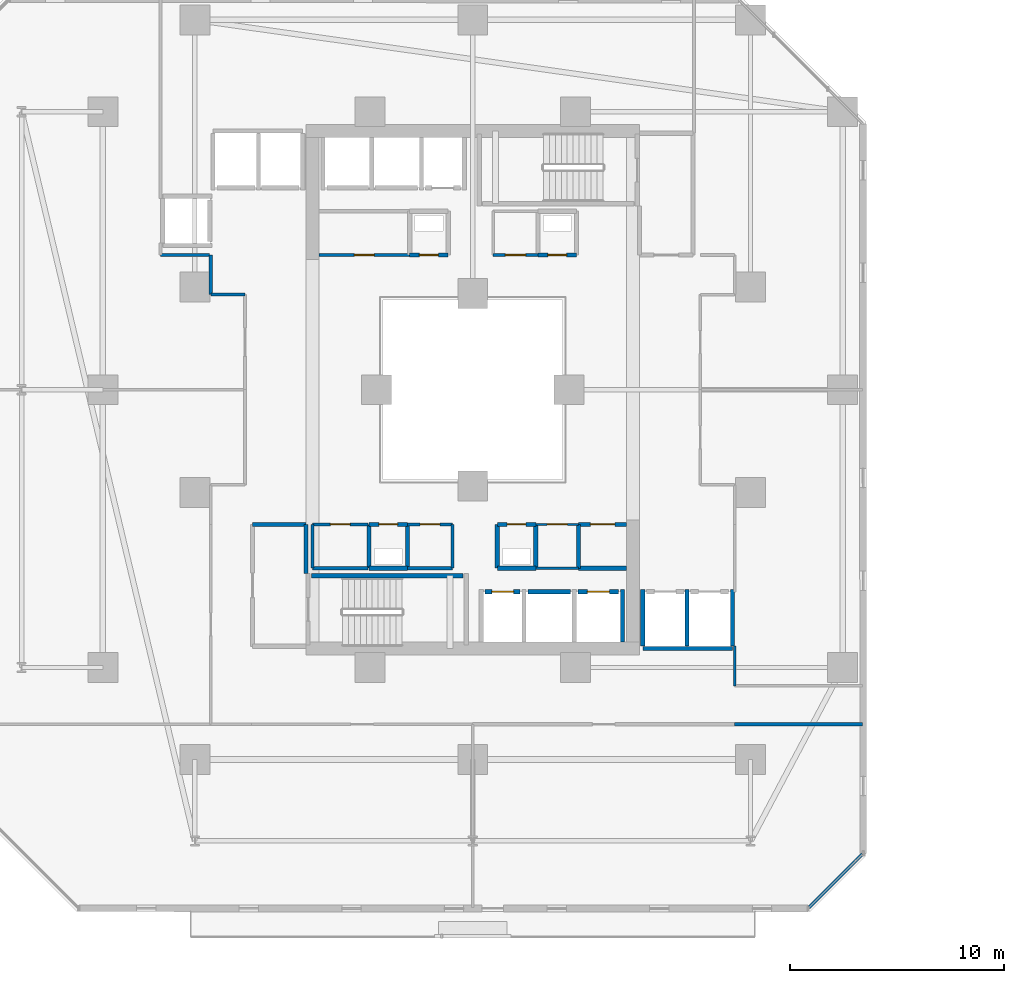
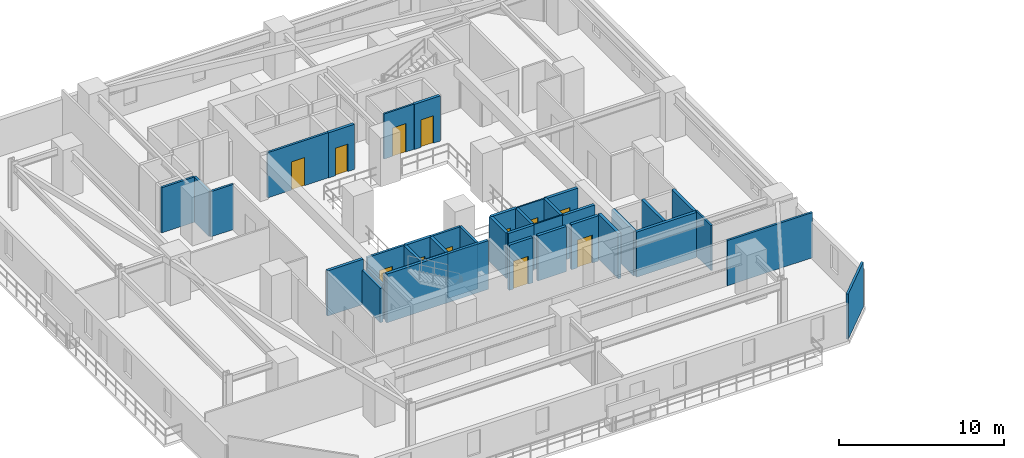
# One storey, part 19 of 33: 40 walls, 12 doors, 12 openings.
"""IFC4 building model written with IfcOpenShell, lengths in metres."""

import ifcopenshell
import ifcopenshell.guid

model = None  # the IFC model being written
_history = None  # IfcOwnerHistory: only IFC2X3 demands one
_inside = {}  # id of a spatial element -> (the spatial element, [elements in it])
_under = {}  # id of a project, library or spatial element -> (it, [spatial elements below it])
_declared = {}  # id of a project -> (the project, [libraries it declares])
_typed = {}  # id of a type object -> (the type object, [elements of that type])
_made_of = {}  # id of a material, layer set ... -> (it, [elements and type objects made of it])


def new_model(schema):
    """Start an empty IFC model of exactly this schema.

    Asked for "IFC4X3", IfcOpenShell would pick the latest addendum, in which some entities
    have other attributes; the version numbers below select the first issue.
    IFC2X3 requires an IfcOwnerHistory on every rooted entity: one is made here for all.
    """
    global model, _history
    if schema == "IFC4X3":
        model = ifcopenshell.file(schema_version=(4, 3, 0, 0))
    else:
        model = ifcopenshell.file(schema=schema)
    _inside.clear()
    _under.clear()
    _declared.clear()
    _typed.clear()
    _made_of.clear()
    _history = None
    if model.schema == "IFC2X3":
        org = make("IfcOrganization", Name="unknown")
        user = make(
            "IfcPersonAndOrganization",
            ThePerson=make("IfcPerson", FamilyName="unknown"),
            TheOrganization=org,
        )
        app = make(
            "IfcApplication",
            ApplicationDeveloper=org,
            Version="unknown",
            ApplicationFullName="unknown",
            ApplicationIdentifier="unknown",
        )
        _history = make(
            "IfcOwnerHistory",
            OwningUser=user,
            OwningApplication=app,
            ChangeAction="ADDED",
            CreationDate=0,
        )
    return model


def make(cls, **values):
    """One entity of the class cls with the attributes given. An attribute that is None is left unset."""
    return model.create_entity(
        cls, **{name: value for name, value in values.items() if value is not None}
    )


def rooted(cls, **values):
    """An entity with a GlobalId (a new one), such as an element, a storey or a relation."""
    return make(cls, GlobalId=ifcopenshell.guid.new(), OwnerHistory=_history, **values)


def si_unit(unit_type, name, prefix=None):
    """IfcSIUnit, for example si_unit("LENGTHUNIT", "METRE", prefix="MILLI")."""
    return make("IfcSIUnit", UnitType=unit_type, Prefix=prefix, Name=name)


def assignment(units):
    """IfcUnitAssignment: the units of a project."""
    return None if units is None else make("IfcUnitAssignment", Units=units)


def point(xyz):
    """IfcCartesianPoint."""
    return None if xyz is None else make("IfcCartesianPoint", Coordinates=xyz)


def direction(xyz):
    """IfcDirection."""
    return None if xyz is None else make("IfcDirection", DirectionRatios=xyz)


def frame(location, z_axis=None, x_axis=None):
    """IfcAxis2Placement3D, a coordinate frame: its origin and axes. An axis left out is left unset."""
    return make(
        "IfcAxis2Placement3D",
        Location=point(location),
        Axis=direction(z_axis),
        RefDirection=direction(x_axis),
    )


def frame_2d(location, x_axis=None):
    """IfcAxis2Placement2D, a coordinate frame in the plane: its origin and x axis."""
    return make(
        "IfcAxis2Placement2D", Location=point(location), RefDirection=direction(x_axis)
    )


def origin():
    """The frame at (0, 0, 0) with its axes left unset."""
    return frame((0.0, 0.0, 0.0))


def place(relative_to, where):
    """IfcLocalPlacement: puts the frame where relative to a parent placement (None: the world)."""
    return make(
        "IfcLocalPlacement", PlacementRelTo=relative_to, RelativePlacement=where
    )


def context(
    kind, dimensions, precision=None, world=None, true_north=None, identifier=None
):
    """IfcGeometricRepresentationContext, for example the 3D "Model" context."""
    return make(
        "IfcGeometricRepresentationContext",
        ContextIdentifier=identifier,
        ContextType=kind,
        CoordinateSpaceDimension=dimensions,
        Precision=precision,
        WorldCoordinateSystem=world,
        TrueNorth=true_north,
    )


def subcontext(parent, identifier, kind, view, scale=None):
    """IfcGeometricRepresentationSubContext, for example "Body" below "Model"."""
    return make(
        "IfcGeometricRepresentationSubContext",
        ContextIdentifier=identifier,
        ContextType=kind,
        ParentContext=parent,
        TargetScale=scale,
        TargetView=view,
    )


def project(units=None, contexts=None):
    """IfcProject with its units and contexts."""
    return rooted(
        "IfcProject",
        Name="project",
        RepresentationContexts=contexts,
        UnitsInContext=assignment(units),
    )


def spatial(cls, under=None, at=None, **own):
    """A site, building, storey or space (cls), placed at a placement, below another one or the project."""
    s = rooted(cls, ObjectPlacement=at, **own)
    if under is not None:
        _under.setdefault(under.id(), (under, []))[1].append(s)
    return s


def profile(cls, at=None, kind="AREA", **sizes):
    """A parametric profile (cls). Its sizes go by their IFC names, for example OverallWidth=200.0."""
    return make(cls, ProfileType=kind, Position=at, **sizes)


def rectangle(**sizes):
    """IfcRectangleProfileDef."""
    return profile("IfcRectangleProfileDef", **sizes)


def extrude(swept, where, along, depth):
    """IfcExtrudedAreaSolid: the profile swept, set in the frame where, extruded along a direction by depth."""
    return make(
        "IfcExtrudedAreaSolid",
        SweptArea=swept,
        Position=where,
        ExtrudedDirection=direction(along),
        Depth=depth,
    )


def shape(context_of_items, identifier, shape_type, items):
    """IfcShapeRepresentation: the items that make up one representation, for example the "Body"."""
    return make(
        "IfcShapeRepresentation",
        ContextOfItems=context_of_items,
        RepresentationIdentifier=identifier,
        RepresentationType=shape_type,
        Items=items,
    )


def material(Name=None, Category=None):
    """IfcMaterial."""
    return make("IfcMaterial", Name=Name, Category=Category)


def layer(
    of_material, thickness, ventilated=None, Name=None, Category=None, Priority=None
):
    """IfcMaterialLayer: one layer of a wall or slab, of a material (None: an air gap)."""
    return make(
        "IfcMaterialLayer",
        Material=of_material,
        LayerThickness=thickness,
        IsVentilated=ventilated,
        Name=Name,
        Category=Category,
        Priority=Priority,
    )


def layer_set(layers, Name=None):
    """IfcMaterialLayerSet."""
    return make("IfcMaterialLayerSet", MaterialLayers=layers, LayerSetName=Name)


def made_of(thing, what):
    """Note that an element or type object is made of a material, layer set ...; save() writes the relation."""
    if what is not None:
        _made_of.setdefault(what.id(), (what, []))[1].append(thing)
    return thing


def type_object(cls, material=None, **own):
    """A type object (cls), such as IfcWallType, which elements share."""
    return made_of(rooted(cls, **own), material)


def element(
    cls,
    number,
    at=None,
    inside=None,
    cuts=None,
    type_object=None,
    material=None,
    context=None,
    identifier="Body",
    shape_type=None,
    held_by="IfcProductDefinitionShape",
    body=None,
    shapes=None,
    **own,
):
    """One element of the class cls, such as IfcWall. Its Tag is "e" and its number.

    at: its placement. inside: the storey or other place that contains it. cuts: it is an
    opening in that element (IfcRelVoidsElement). A single representation is given by context,
    identifier, shape_type and body (its items); several are given by shapes. held_by: the class
    of the entity that holds the representations. save() writes the other relations.
    """
    e = rooted(cls, Tag="e%d" % number, ObjectPlacement=at, **own)
    if body is not None:
        shapes = [shape(context, identifier, shape_type, body)]
    if shapes is not None:
        e.Representation = make(held_by, Representations=shapes)
    if inside is not None:
        _inside.setdefault(inside.id(), (inside, []))[1].append(e)
    if cuts is not None:
        rooted(
            "IfcRelVoidsElement", RelatingBuildingElement=cuts, RelatedOpeningElement=e
        )
    if type_object is not None:
        _typed.setdefault(type_object.id(), (type_object, []))[1].append(e)
    return made_of(e, material)


def fill(opening, filler):
    """IfcRelFillsElement: the door or window that sits in an opening."""
    return rooted(
        "IfcRelFillsElement",
        RelatingOpeningElement=opening,
        RelatedBuildingElement=filler,
    )


def aggregate(whole, parts):
    """IfcRelAggregates: a whole, such as a stair, and the parts it consists of."""
    return rooted("IfcRelAggregates", RelatingObject=whole, RelatedObjects=parts)


def save(model, path):
    """Write the relations noted so far, then the file.

    IfcRelAggregates (storeys below a building ...), IfcRelContainedInSpatialStructure (elements
    in a storey), IfcRelDefinesByType, IfcRelAssociatesMaterial and IfcRelDeclares: one each for
    every whole, place, type object, material and project.
    """
    for whole, parts in _under.values():
        aggregate(whole, parts)
    for where, things in _inside.values():
        rooted(
            "IfcRelContainedInSpatialStructure",
            RelatedElements=things,
            RelatingStructure=where,
        )
    for kind, things in _typed.values():
        rooted("IfcRelDefinesByType", RelatedObjects=things, RelatingType=kind)
    for what, things in _made_of.values():
        rooted("IfcRelAssociatesMaterial", RelatedObjects=things, RelatingMaterial=what)
    for by, libraries in _declared.values():
        rooted("IfcRelDeclares", RelatingContext=by, RelatedDefinitions=libraries)
    model.write(path)


model = new_model("IFC4")

# Units and contexts
model_context = context("Model", 3, precision=1e-05, world=origin(), true_north=direction((0.0, 1.0)))
body_context = subcontext(model_context, "Body", "Model", "MODEL_VIEW")
ifc_project = project(units=[si_unit("LENGTHUNIT", "METRE"), si_unit("AREAUNIT", "SQUARE_METRE"), si_unit("VOLUMEUNIT", "CUBIC_METRE"), si_unit("PLANEANGLEUNIT", "RADIAN"), si_unit("MASSUNIT", "GRAM", prefix="KILO")], contexts=[model_context])

# Site, building, storey
site_placement = place(None, origin())
site = spatial("IfcSite", under=ifc_project, at=site_placement, CompositionType="ELEMENT")
building_placement = place(site_placement, origin())
building = spatial("IfcBuilding", under=site, at=building_placement, Name="Thornwick Lancets Civic Towers", CompositionType="ELEMENT")
storey_placement = place(building_placement, frame((0.0, 0.0, 31.5)))
storey = spatial("IfcBuildingStorey", under=building, at=storey_placement, Name="L07", CompositionType="ELEMENT", Elevation=31.5)

# Wall, opening, door
ifc_material_1 = material(Name="Concrete blockwork C40/50", Category="masonry")
ifc_layer_1 = layer(ifc_material_1, 0.199951171875, Name="Concrete blockwork C40/50")
ifc_layer_set_1 = layer_set([ifc_layer_1], Name="Concrete blockwork C40/50")
wall_type_1 = type_object("IfcWallType", Name="WALL_COMP_200", PredefinedType="STANDARD", material=ifc_layer_set_1)
wall_1_placement = place(storey_placement, frame((26.080078125, 17.550048828125, 0.0), z_axis=(0.0, 0.0, 1.0), x_axis=(1.0, 0.0, 0.0)))
wall_1 = element("IfcWall", 1, at=wall_1_placement, inside=storey, type_object=wall_type_1, Name="L07 Hoistway Front Wall FL-A1", PredefinedType="STANDARD", context=body_context, shape_type="SweptSolid", body=[
    extrude(rectangle(XDim=1.639892578125, YDim=0.199951171875, at=frame_2d((0.81982421875, 0.0))), origin(), (0.0, 0.0, 1.0), 3.340087890625),
])
opening_1_placement = place(wall_1_placement, frame((0.31005859375, 0.0, 0.0)))
opening_1 = element("IfcOpeningElement", 2, at=opening_1_placement, cuts=wall_1, Name="Opening LD-FL-A1", PredefinedType="OPENING", context=body_context, shape_type="SweptSolid", body=[
    extrude(rectangle(XDim=1.02001953125, YDim=2.06005859375, at=frame_2d((0.510009765625, 1.030029296875))), frame((0.0, 0.10986328125, 0.0), z_axis=(0.0, -1.0, 0.0), x_axis=(1.0, 0.0, 0.0)), (0.0, 0.0, 1.0), 0.219970703125),
])
ifc_material_2 = material(Name="Brushed bronze stainless steel", Category="steel")
door_type_1 = type_object("IfcDoorType", Name="DOOR_LIFT_SLIDE", OperationType="SLIDING_TO_LEFT", PredefinedType="DOOR", material=ifc_material_2)
door_1_placement = place(opening_1_placement, origin())
door_1 = element("IfcDoor", 3, at=door_1_placement, inside=storey, type_object=door_type_1, Name="L07 Sliding Lift Landing Door LD-FL-A1", OperationType="SLIDING_TO_LEFT", OverallHeight=2.06005859375, OverallWidth=1.02001953125, PredefinedType="DOOR", context=body_context, shape_type="SweptSolid", body=[
    extrude(rectangle(XDim=1.02001953125, YDim=2.06005859375, at=frame_2d((0.510009765625, 1.030029296875))), frame((0.0, 0.02490234375, 0.0), z_axis=(0.0, -1.0, 0.0), x_axis=(1.0, 0.0, 0.0)), (0.0, 0.0, 1.0), 0.050048828125),
])
fill(opening_1, door_1)

# Wall
wall_2_placement = place(storey_placement, frame((28.080078125, 17.550048828125, 0.0), z_axis=(0.0, 0.0, 1.0), x_axis=(1.0, 0.0, 0.0)))
element("IfcWall", 4, at=wall_2_placement, inside=storey, type_object=wall_type_1, Name="L07 Hoistway Front Wall PL-AH1", PredefinedType="STANDARD", context=body_context, shape_type="SweptSolid", body=[
    extrude(rectangle(XDim=1.989990234375, YDim=0.199951171875, at=frame_2d((0.9951171875, 0.0))), origin(), (0.0, 0.0, 1.0), 3.340087890625),
])

# Wall, opening, door
wall_3_placement = place(storey_placement, frame((30.429931640625, 17.550048828125, 0.0), z_axis=(0.0, 0.0, 1.0), x_axis=(1.0, 0.0, 0.0)))
wall_3 = element("IfcWall", 5, at=wall_3_placement, inside=storey, type_object=wall_type_1, Name="L07 Hoistway Front Wall PL-AL1", PredefinedType="STANDARD", context=body_context, shape_type="SweptSolid", body=[
    extrude(rectangle(XDim=1.89013671875, YDim=0.199951171875, at=frame_2d((0.945068359375, 0.0))), origin(), (0.0, 0.0, 1.0), 3.340087890625),
])
opening_2_placement = place(wall_3_placement, frame((0.43505859375, 0.0, 0.0)))
opening_2 = element("IfcOpeningElement", 6, at=opening_2_placement, cuts=wall_3, Name="Opening LD-PL-AL1", PredefinedType="OPENING", context=body_context, shape_type="SweptSolid", body=[
    extrude(rectangle(XDim=1.02001953125, YDim=2.06005859375, at=frame_2d((0.510009765625, 1.030029296875))), frame((0.0, 0.10986328125, 0.0), z_axis=(0.0, -1.0, 0.0), x_axis=(1.0, 0.0, 0.0)), (0.0, 0.0, 1.0), 0.219970703125),
])
door_2_placement = place(opening_2_placement, origin())
door_2 = element("IfcDoor", 7, at=door_2_placement, inside=storey, type_object=door_type_1, Name="L07 Sliding Lift Landing Door LD-PL-AL1", OperationType="SLIDING_TO_LEFT", OverallHeight=2.06005859375, OverallWidth=1.02001953125, PredefinedType="DOOR", context=body_context, shape_type="SweptSolid", body=[
    extrude(rectangle(XDim=1.02001953125, YDim=2.06005859375, at=frame_2d((0.510009765625, 1.030029296875))), frame((0.0, 0.02490234375, 0.0), z_axis=(0.0, -1.0, 0.0), x_axis=(1.0, 0.0, 0.0)), (0.0, 0.0, 1.0), 0.050048828125),
])
fill(opening_2, door_2)

# Walls
wall_4_placement = place(storey_placement, frame((32.5, 15.2119140625, 0.0), z_axis=(0.0, 0.0, 1.0), x_axis=(0.0, 1.0, 0.0)))
element("IfcWall", 8, at=wall_4_placement, inside=storey, type_object=wall_type_1, Name="L07 Hoistway Shaft Wall PL-AL1 E", PredefinedType="STANDARD", context=body_context, shape_type="SweptSolid", body=[
    extrude(rectangle(XDim=2.43603515625, YDim=0.199951171875, at=frame_2d((1.218017578125, 0.0))), origin(), (0.0, 0.0, 1.0), 3.340087890625),
])
wall_5_placement = place(storey_placement, frame((33.451904296875, 14.89990234375, 0.0), z_axis=(0.0, 0.0, 1.0), x_axis=(1.0, 0.0, 0.0)))
element("IfcWall", 9, at=wall_5_placement, inside=storey, type_object=wall_type_1, Name="L07 Hoistway Shaft Wall PL-AL2 S", PredefinedType="STANDARD", context=body_context, shape_type="SweptSolid", body=[
    extrude(rectangle(XDim=4.196044921875, YDim=0.199951171875, at=frame_2d((2.09814453125, 0.0))), origin(), (0.0, 0.0, 1.0), 3.340087890625),
])
for number, where, z_axis, x_axis, name in (
    (10, (35.52490234375, 15.011962890625, 0.0), (0.0, 0.0, 1.0), (0.0, 1.0, 0.0), "L07 Hoistway Shaft Wall PL-AL2 E"),
    (11, (33.449951171875, 15.011962890625, 0.0), (0.0, 0.0, 1.0), (0.0, 1.0, 0.0), "L07 Hoistway Shaft Wall PL-AL2 W"),
    (12, (37.64990234375, 15.011962890625, 0.0), (0.0, 0.0, 1.0), (0.0, 1.0, 0.0), "L07 Hoistway Shaft Wall PL-AL3 E"),
):
    element("IfcWall", number, at=place(storey_placement, frame(where, z_axis=z_axis, x_axis=x_axis)), inside=storey, type_object=wall_type_1, Name=name, PredefinedType="STANDARD", context=body_context, shape_type="SweptSolid", body=[
        extrude(rectangle(XDim=2.635986328125, YDim=0.199951171875, at=frame_2d((1.31787109375, 0.0))), origin(), (0.0, 0.0, 1.0), 3.340087890625),
    ])
wall_6_placement = place(storey_placement, frame((17.699951171875, 18.39990234375, 0.0), z_axis=(0.0, 0.0, 1.0), x_axis=(0.0, 1.0, 0.0)))
element("IfcWall", 13, at=wall_6_placement, inside=storey, type_object=wall_type_1, Name="L07 Partition L07-A-FFLOB1 E2", PredefinedType="STANDARD", context=body_context, shape_type="SweptSolid", body=[
    extrude(rectangle(XDim=2.300048828125, YDim=0.199951171875, at=frame_2d((1.14990234375, 0.0))), origin(), (0.0, 0.0, 1.0), 2.544921875),
])
wall_7_placement = place(storey_placement, frame((17.699951171875, 20.699951171875, 0.0), z_axis=(0.0, 0.0, 1.0), x_axis=(-1.0, 0.0, 0.0)))
element("IfcWall", 14, at=wall_7_placement, inside=storey, type_object=wall_type_1, Name="L07 Partition L07-A-FFLOB1 E3", PredefinedType="STANDARD", context=body_context, shape_type="SweptSolid", body=[
    extrude(rectangle(XDim=2.5, YDim=0.199951171875, at=frame_2d((1.25, 0.0))), origin(), (0.0, 0.0, 1.0), 3.340087890625),
])
wall_8_placement = place(storey_placement, frame((26.64990234375, 18.64990234375, 0.0), z_axis=(0.0, 0.0, 1.0), x_axis=(1.0, 0.0, 0.0)))
element("IfcWall", 15, at=wall_8_placement, inside=storey, type_object=wall_type_1, Name="L07 Partition L07-A-DUCT1 E1", PredefinedType="STANDARD", context=body_context, shape_type="SweptSolid", body=[
    extrude(rectangle(XDim=1.800048828125, YDim=0.199951171875, at=frame_2d((0.89990234375, 0.0))), origin(), (0.0, 0.0, 1.0), 3.340087890625),
])
wall_9_placement = place(storey_placement, frame((28.449951171875, 18.64990234375, 0.0), z_axis=(0.0, 0.0, 1.0), x_axis=(0.0, 1.0, 0.0)))
element("IfcWall", 16, at=wall_9_placement, inside=storey, type_object=wall_type_1, Name="L07 Partition L07-A-DUCT1 E2", PredefinedType="STANDARD", context=body_context, shape_type="SweptSolid", body=[
    extrude(rectangle(XDim=2.050048828125, YDim=0.199951171875, at=frame_2d((1.02490234375, 0.0))), origin(), (0.0, 0.0, 1.0), 3.340087890625),
])

# Wall, opening, door
wall_10_placement = place(storey_placement, frame((28.449951171875, 20.699951171875, 0.0), z_axis=(0.0, 0.0, 1.0), x_axis=(-1.0, 0.0, 0.0)))
wall_10 = element("IfcWall", 17, at=wall_10_placement, inside=storey, type_object=wall_type_1, Name="L07 Partition L07-A-DUCT1 E3", PredefinedType="STANDARD", context=body_context, shape_type="SweptSolid", body=[
    extrude(rectangle(XDim=1.800048828125, YDim=0.199951171875, at=frame_2d((0.89990234375, 0.0))), origin(), (0.0, 0.0, 1.0), 3.340087890625),
])
opening_3_placement = place(wall_10_placement, frame((0.4599609375, 0.0, 0.0)))
opening_3 = element("IfcOpeningElement", 18, at=opening_3_placement, cuts=wall_10, Name="Opening D-L07-0363", PredefinedType="OPENING", context=body_context, shape_type="SweptSolid", body=[
    extrude(rectangle(XDim=0.8798828125, YDim=2.0400390625, at=frame_2d((0.43994140625, 1.02001953125))), frame((0.0, 0.10986328125, 0.0), z_axis=(0.0, -1.0, 0.0), x_axis=(1.0, 0.0, 0.0)), (0.0, 0.0, 1.0), 0.219970703125),
])
ifc_material_3 = material(Name="Steel riser access doorset", Category="steel")
door_type_2 = type_object("IfcDoorType", Name="DOOR_RISER_850", OperationType="NOTDEFINED", PredefinedType="DOOR", material=ifc_material_3)
door_3_placement = place(opening_3_placement, origin())
door_3 = element("IfcDoor", 19, at=door_3_placement, inside=storey, type_object=door_type_2, Name="L07 South Service Duct 1 Door", OperationType="SINGLE_SWING_RIGHT", OverallHeight=2.0400390625, OverallWidth=0.8798828125, PredefinedType="DOOR", context=body_context, shape_type="SweptSolid", body=[
    extrude(rectangle(XDim=0.8798828125, YDim=2.0400390625, at=frame_2d((0.43994140625, 1.02001953125))), frame((0.0, 0.02490234375, 0.0), z_axis=(0.0, -1.0, 0.0), x_axis=(1.0, 0.0, 0.0)), (0.0, 0.0, 1.0), 0.050048828125),
])
fill(opening_3, door_3)

# Walls
wall_11_placement = place(storey_placement, frame((26.64990234375, 20.699951171875, 0.0), z_axis=(0.0, 0.0, 1.0), x_axis=(0.0, -1.0, 0.0)))
element("IfcWall", 20, at=wall_11_placement, inside=storey, type_object=wall_type_1, Name="L07 Partition L07-A-DUCT1 E4", PredefinedType="STANDARD", context=body_context, shape_type="SweptSolid", body=[
    extrude(rectangle(XDim=2.050048828125, YDim=0.199951171875, at=frame_2d((1.02490234375, 0.0))), origin(), (0.0, 0.0, 1.0), 3.340087890625),
])
wall_12_placement = place(storey_placement, frame((20.64990234375, 18.64990234375, 0.0), z_axis=(0.0, 0.0, 1.0), x_axis=(1.0, 0.0, 0.0)))
element("IfcWall", 21, at=wall_12_placement, inside=storey, type_object=wall_type_1, Name="L07 Partition L07-A-RISER1 E1", PredefinedType="STANDARD", context=body_context, shape_type="SweptSolid", body=[
    extrude(rectangle(XDim=1.800048828125, YDim=0.199951171875, at=frame_2d((0.89990234375, 0.0))), origin(), (0.0, 0.0, 1.0), 3.340087890625),
])
wall_13_placement = place(storey_placement, frame((22.449951171875, 18.64990234375, 0.0), z_axis=(0.0, 0.0, 1.0), x_axis=(0.0, 1.0, 0.0)))
element("IfcWall", 22, at=wall_13_placement, inside=storey, type_object=wall_type_1, Name="L07 Partition L07-A-RISER1 E2", PredefinedType="STANDARD", context=body_context, shape_type="SweptSolid", body=[
    extrude(rectangle(XDim=2.050048828125, YDim=0.199951171875, at=frame_2d((1.02490234375, 0.0))), origin(), (0.0, 0.0, 1.0), 3.340087890625),
])

# Wall, opening, door
wall_14_placement = place(storey_placement, frame((22.449951171875, 20.699951171875, 0.0), z_axis=(0.0, 0.0, 1.0), x_axis=(-1.0, 0.0, 0.0)))
wall_14 = element("IfcWall", 23, at=wall_14_placement, inside=storey, type_object=wall_type_1, Name="L07 Partition L07-A-RISER1 E3", PredefinedType="STANDARD", context=body_context, shape_type="SweptSolid", body=[
    extrude(rectangle(XDim=1.800048828125, YDim=0.199951171875, at=frame_2d((0.89990234375, 0.0))), origin(), (0.0, 0.0, 1.0), 3.340087890625),
])
opening_4_placement = place(wall_14_placement, frame((0.4599609375, 0.0, 0.0)))
opening_4 = element("IfcOpeningElement", 24, at=opening_4_placement, cuts=wall_14, Name="Opening D-L07-0364", PredefinedType="OPENING", context=body_context, shape_type="SweptSolid", body=[
    extrude(rectangle(XDim=0.8798828125, YDim=2.0400390625, at=frame_2d((0.43994140625, 1.02001953125))), frame((0.0, 0.10986328125, 0.0), z_axis=(0.0, -1.0, 0.0), x_axis=(1.0, 0.0, 0.0)), (0.0, 0.0, 1.0), 0.219970703125),
])
door_4_placement = place(opening_4_placement, origin())
door_4 = element("IfcDoor", 25, at=door_4_placement, inside=storey, type_object=door_type_2, Name="L07 South Electrical Riser 1 Door", OperationType="SINGLE_SWING_LEFT", OverallHeight=2.0400390625, OverallWidth=0.8798828125, PredefinedType="DOOR", context=body_context, shape_type="SweptSolid", body=[
    extrude(rectangle(XDim=0.8798828125, YDim=2.0400390625, at=frame_2d((0.43994140625, 1.02001953125))), frame((0.0, 0.02490234375, 0.0), z_axis=(0.0, -1.0, 0.0), x_axis=(1.0, 0.0, 0.0)), (0.0, 0.0, 1.0), 0.050048828125),
])
fill(opening_4, door_4)

# Wall
wall_15_placement = place(storey_placement, frame((20.64990234375, 20.699951171875, 0.0), z_axis=(0.0, 0.0, 1.0), x_axis=(0.0, -1.0, 0.0)))
element("IfcWall", 26, at=wall_15_placement, inside=storey, type_object=wall_type_1, Name="L07 Partition L07-A-RISER1 E4", PredefinedType="STANDARD", context=body_context, shape_type="SweptSolid", body=[
    extrude(rectangle(XDim=2.050048828125, YDim=0.199951171875, at=frame_2d((1.02490234375, 0.0))), origin(), (0.0, 0.0, 1.0), 3.340087890625),
])

# Wall, opening, door
wall_16_placement = place(storey_placement, frame((22.550048828125, 33.300048828125, 0.0), z_axis=(0.0, 0.0, 1.0), x_axis=(1.0, 0.0, 0.0)))
wall_16 = element("IfcWall", 27, at=wall_16_placement, inside=storey, type_object=wall_type_1, Name="L07 Partition L07-A-DUCT2 E1", PredefinedType="STANDARD", context=body_context, shape_type="SweptSolid", body=[
    extrude(rectangle(XDim=1.800048828125, YDim=0.199951171875, at=frame_2d((0.89990234375, 0.0))), origin(), (0.0, 0.0, 1.0), 3.340087890625),
])
opening_5_placement = place(wall_16_placement, frame((0.4599609375, 0.0, 0.0)))
opening_5 = element("IfcOpeningElement", 28, at=opening_5_placement, cuts=wall_16, Name="Opening D-L07-0365", PredefinedType="OPENING", context=body_context, shape_type="SweptSolid", body=[
    extrude(rectangle(XDim=0.8798828125, YDim=2.0400390625, at=frame_2d((0.43994140625, 1.02001953125))), frame((0.0, 0.10986328125, 0.0), z_axis=(0.0, -1.0, 0.0), x_axis=(1.0, 0.0, 0.0)), (0.0, 0.0, 1.0), 0.219970703125),
])
door_5_placement = place(opening_5_placement, origin())
door_5 = element("IfcDoor", 29, at=door_5_placement, inside=storey, type_object=door_type_2, Name="L07 North Service Duct 2 Door", OperationType="SINGLE_SWING_RIGHT", OverallHeight=2.0400390625, OverallWidth=0.8798828125, PredefinedType="DOOR", context=body_context, shape_type="SweptSolid", body=[
    extrude(rectangle(XDim=0.8798828125, YDim=2.0400390625, at=frame_2d((0.43994140625, 1.02001953125))), frame((0.0, 0.02490234375, 0.0), z_axis=(0.0, -1.0, 0.0), x_axis=(1.0, 0.0, 0.0)), (0.0, 0.0, 1.0), 0.050048828125),
])
fill(opening_5, door_5)

wall_17_placement = place(storey_placement, frame((28.550048828125, 33.300048828125, 0.0), z_axis=(0.0, 0.0, 1.0), x_axis=(1.0, 0.0, 0.0)))
wall_17 = element("IfcWall", 30, at=wall_17_placement, inside=storey, type_object=wall_type_1, Name="L07 Partition L07-A-RISER2 E1", PredefinedType="STANDARD", context=body_context, shape_type="SweptSolid", body=[
    extrude(rectangle(XDim=1.800048828125, YDim=0.199951171875, at=frame_2d((0.89990234375, 0.0))), origin(), (0.0, 0.0, 1.0), 3.340087890625),
])
opening_6_placement = place(wall_17_placement, frame((0.4599609375, 0.0, 0.0)))
opening_6 = element("IfcOpeningElement", 31, at=opening_6_placement, cuts=wall_17, Name="Opening D-L07-0366", PredefinedType="OPENING", context=body_context, shape_type="SweptSolid", body=[
    extrude(rectangle(XDim=0.8798828125, YDim=2.0400390625, at=frame_2d((0.43994140625, 1.02001953125))), frame((0.0, 0.10986328125, 0.0), z_axis=(0.0, -1.0, 0.0), x_axis=(1.0, 0.0, 0.0)), (0.0, 0.0, 1.0), 0.219970703125),
])
door_6_placement = place(opening_6_placement, origin())
door_6 = element("IfcDoor", 32, at=door_6_placement, inside=storey, type_object=door_type_2, Name="L07 North Service Riser 2 Door", OperationType="SINGLE_SWING_LEFT", OverallHeight=2.0400390625, OverallWidth=0.8798828125, PredefinedType="DOOR", context=body_context, shape_type="SweptSolid", body=[
    extrude(rectangle(XDim=0.8798828125, YDim=2.0400390625, at=frame_2d((0.43994140625, 1.02001953125))), frame((0.0, 0.02490234375, 0.0), z_axis=(0.0, -1.0, 0.0), x_axis=(1.0, 0.0, 0.0)), (0.0, 0.0, 1.0), 0.050048828125),
])
fill(opening_6, door_6)

# Walls
wall_18_placement = place(storey_placement, frame((32.699951171875, 18.64990234375, 0.0), z_axis=(0.0, 0.0, 1.0), x_axis=(-1.0, 0.0, 0.0)))
element("IfcWall", 33, at=wall_18_placement, inside=storey, type_object=wall_type_1, Name="L07 Partition L07-A-ITR2 E2", PredefinedType="STANDARD", context=body_context, shape_type="SweptSolid", body=[
    extrude(rectangle(XDim=2.25, YDim=0.199951171875, at=frame_2d((1.125, 0.0))), origin(), (0.0, 0.0, 1.0), 3.340087890625),
])
wall_19_placement = place(storey_placement, frame((30.449951171875, 18.64990234375, 0.0), z_axis=(0.0, 0.0, 1.0), x_axis=(0.0, 1.0, 0.0)))
element("IfcWall", 34, at=wall_19_placement, inside=storey, type_object=wall_type_1, Name="L07 Partition L07-A-ITR2 E3", PredefinedType="STANDARD", context=body_context, shape_type="SweptSolid", body=[
    extrude(rectangle(XDim=2.050048828125, YDim=0.199951171875, at=frame_2d((1.02490234375, 0.0))), origin(), (0.0, 0.0, 1.0), 3.340087890625),
])

# Wall, opening, door
wall_20_placement = place(storey_placement, frame((30.449951171875, 20.699951171875, 0.0), z_axis=(0.0, 0.0, 1.0), x_axis=(1.0, 0.0, 0.0)))
wall_20 = element("IfcWall", 35, at=wall_20_placement, inside=storey, type_object=wall_type_1, Name="L07 Partition L07-A-ITR2 E4", PredefinedType="STANDARD", context=body_context, shape_type="SweptSolid", body=[
    extrude(rectangle(XDim=2.25, YDim=0.199951171875, at=frame_2d((1.125, 0.0))), origin(), (0.0, 0.0, 1.0), 3.340087890625),
])
opening_7_placement = place(wall_20_placement, frame((0.550048828125, 0.0, 0.0)))
opening_7 = element("IfcOpeningElement", 36, at=opening_7_placement, cuts=wall_20, Name="Opening D-L07-0370", PredefinedType="OPENING", context=body_context, shape_type="SweptSolid", body=[
    extrude(rectangle(XDim=1.14990234375, YDim=2.10009765625, at=frame_2d((0.574951171875, 1.050048828125))), frame((0.0, 0.10986328125, 0.0), z_axis=(0.0, -1.0, 0.0), x_axis=(1.0, 0.0, 0.0)), (0.0, 0.0, 1.0), 0.219970703125),
])
ifc_material_4 = material(Name="Glazed fire-resisting steel", Category="steel")
door_type_3 = type_object("IfcDoorType", Name="DOOR_LOBBY_FD60", OperationType="NOTDEFINED", PredefinedType="DOOR", material=ifc_material_4)
door_7_placement = place(opening_7_placement, origin())
door_7 = element("IfcDoor", 37, at=door_7_placement, inside=storey, type_object=door_type_3, Name="L07 Tower A Statutory Core Archive Door", OperationType="SINGLE_SWING_LEFT", OverallHeight=2.10009765625, OverallWidth=1.14990234375, PredefinedType="DOOR", context=body_context, shape_type="SweptSolid", body=[
    extrude(rectangle(XDim=1.14990234375, YDim=2.10009765625, at=frame_2d((0.574951171875, 1.050048828125))), frame((0.0, 0.02490234375, 0.0), z_axis=(0.0, -1.0, 0.0), x_axis=(1.0, 0.0, 0.0)), (0.0, 0.0, 1.0), 0.050048828125),
])
fill(opening_7, door_7)

# Wall
ifc_material_5 = material(Name="Lightweight cellular office partition")
ifc_layer_2 = layer(ifc_material_5, 0.10009765625, Name="Lightweight cellular office partition")
ifc_layer_set_2 = layer_set([ifc_layer_2], Name="Lightweight cellular office partition")
wall_type_2 = type_object("IfcWallType", Name="WALL_PART_100", PredefinedType="PARTITIONING", material=ifc_layer_set_2)
wall_21_placement = place(storey_placement, frame((30.449951171875, 18.64990234375, 0.0), z_axis=(0.0, 0.0, 1.0), x_axis=(-1.0, 0.0, 0.0)))
element("IfcWall", 38, at=wall_21_placement, inside=storey, type_object=wall_type_2, Name="L07 Partition L07-A-CLN E2", PredefinedType="PARTITIONING", context=body_context, shape_type="SweptSolid", body=[
    extrude(rectangle(XDim=2.0, YDim=0.10009765625, at=frame_2d((1.0, 0.0))), origin(), (0.0, 0.0, 1.0), 3.340087890625),
])

# Wall, opening, door
wall_22_placement = place(storey_placement, frame((28.449951171875, 20.699951171875, 0.0), z_axis=(0.0, 0.0, 1.0), x_axis=(1.0, 0.0, 0.0)))
wall_22 = element("IfcWall", 39, at=wall_22_placement, inside=storey, type_object=wall_type_2, Name="L07 Partition L07-A-CLN E4", PredefinedType="PARTITIONING", context=body_context, shape_type="SweptSolid", body=[
    extrude(rectangle(XDim=2.0, YDim=0.10009765625, at=frame_2d((1.0, 0.0))), origin(), (0.0, 0.0, 1.0), 3.340087890625),
])
opening_8_placement = place(wall_22_placement, frame((0.52490234375, 0.0, 0.0)))
opening_8 = element("IfcOpeningElement", 40, at=opening_8_placement, cuts=wall_22, Name="Opening D-L07-0369", PredefinedType="OPENING", context=body_context, shape_type="SweptSolid", body=[
    extrude(rectangle(XDim=0.949951171875, YDim=2.10009765625, at=frame_2d((0.47509765625, 1.050048828125))), frame((0.0, 0.06005859375, 0.0), z_axis=(0.0, -1.0, 0.0), x_axis=(1.0, 0.0, 0.0)), (0.0, 0.0, 1.0), 0.1201171875),
])
ifc_material_6 = material(Name="European oak acoustic doorset")
door_type_4 = type_object("IfcDoorType", Name="DOOR_OFFICE_950", OperationType="NOTDEFINED", PredefinedType="DOOR", material=ifc_material_6)
door_8_placement = place(opening_8_placement, origin())
door_8 = element("IfcDoor", 41, at=door_8_placement, inside=storey, type_object=door_type_4, Name="L07 Tower A Cleaners Store Door", OperationType="SINGLE_SWING_RIGHT", OverallHeight=2.10009765625, OverallWidth=0.949951171875, PredefinedType="DOOR", context=body_context, shape_type="SweptSolid", body=[
    extrude(rectangle(XDim=0.949951171875, YDim=2.10009765625, at=frame_2d((0.47509765625, 1.050048828125))), frame((0.0, 0.02490234375, 0.0), z_axis=(0.0, -1.0, 0.0), x_axis=(1.0, 0.0, 0.0)), (0.0, 0.0, 1.0), 0.050048828125),
])
fill(opening_8, door_8)

ifc_material_7 = material(Name="Acoustic gypsum board partition")
ifc_layer_3 = layer(ifc_material_7, 0.1201171875, Name="Acoustic gypsum board partition")
ifc_layer_set_3 = layer_set([ifc_layer_3], Name="Acoustic gypsum board partition")
wall_type_3 = type_object("IfcWallType", Name="WALL_PART_120", PredefinedType="PARTITIONING", material=ifc_layer_set_3)
wall_23_placement = place(storey_placement, frame((28.550048828125, 33.300048828125, 0.0), z_axis=(0.0, 0.0, 1.0), x_axis=(-1.0, 0.0, 0.0)))
wall_23 = element("IfcWall", 42, at=wall_23_placement, inside=storey, type_object=wall_type_3, Name="L07 Partition L07-A-ITR E4", PredefinedType="PARTITIONING", context=body_context, shape_type="SweptSolid", body=[
    extrude(rectangle(XDim=2.10009765625, YDim=0.1201171875, at=frame_2d((1.050048828125, 0.0))), origin(), (0.0, 0.0, 1.0), 3.340087890625),
])
opening_9_placement = place(wall_23_placement, frame((0.574951171875, 0.0, 0.0)))
opening_9 = element("IfcOpeningElement", 43, at=opening_9_placement, cuts=wall_23, Name="Opening D-L07-0372", PredefinedType="OPENING", context=body_context, shape_type="SweptSolid", body=[
    extrude(rectangle(XDim=0.949951171875, YDim=2.10009765625, at=frame_2d((0.47509765625, 1.050048828125))), frame((0.0, 0.070068359375, 0.0), z_axis=(0.0, -1.0, 0.0), x_axis=(1.0, 0.0, 0.0)), (0.0, 0.0, 1.0), 0.14013671875),
])
door_9_placement = place(opening_9_placement, origin())
door_9 = element("IfcDoor", 44, at=door_9_placement, inside=storey, type_object=door_type_4, Name="L07 Tower A Comms Patch Room Door", OperationType="SINGLE_SWING_LEFT", OverallHeight=2.10009765625, OverallWidth=0.949951171875, PredefinedType="DOOR", context=body_context, shape_type="SweptSolid", body=[
    extrude(rectangle(XDim=0.949951171875, YDim=2.10009765625, at=frame_2d((0.47509765625, 1.050048828125))), frame((0.0, 0.02490234375, 0.0), z_axis=(0.0, -1.0, 0.0), x_axis=(1.0, 0.0, 0.0)), (0.0, 0.0, 1.0), 0.050048828125),
])
fill(opening_9, door_9)

# Walls
wall_24_placement = place(storey_placement, frame((37.75, 13.14990234375, 0.0), z_axis=(0.0, 0.0, 1.0), x_axis=(0.0, 1.0, 0.0)))
element("IfcWall", 45, at=wall_24_placement, inside=storey, type_object=wall_type_3, Name="L07 Partition L07-A-E1 E8", PredefinedType="PARTITIONING", context=body_context, shape_type="SweptSolid", body=[
    extrude(rectangle(XDim=1.862060546875, YDim=0.1201171875, at=frame_2d((0.93115234375, 0.0))), origin(), (0.0, 0.0, 1.0), 3.340087890625),
])
ifc_material_8 = material(Name="Twin-stud acoustic gypsum board")
ifc_layer_4 = layer(ifc_material_8, 0.14990234375, Name="Twin-stud acoustic gypsum board")
ifc_layer_set_4 = layer_set([ifc_layer_4], Name="Twin-stud acoustic gypsum board")
wall_type_4 = type_object("IfcWallType", Name="WALL_PART_150", PredefinedType="PARTITIONING", material=ifc_layer_set_4)
wall_25_placement = place(storey_placement, frame((18.0, 18.64990234375, 0.0), z_axis=(0.0, 0.0, 1.0), x_axis=(1.0, 0.0, 0.0)))
element("IfcWall", 46, at=wall_25_placement, inside=storey, type_object=wall_type_4, Name="L07 Partition L07-A-MWC E1", PredefinedType="PARTITIONING", context=body_context, shape_type="SweptSolid", body=[
    extrude(rectangle(XDim=2.60009765625, YDim=0.14990234375, at=frame_2d((1.300048828125, 0.0))), origin(), (0.0, 0.0, 1.0), 3.340087890625),
])

# Wall, opening, door
wall_26_placement = place(storey_placement, frame((20.60009765625, 20.699951171875, 0.0), z_axis=(0.0, 0.0, 1.0), x_axis=(-1.0, 0.0, 0.0)))
wall_26 = element("IfcWall", 47, at=wall_26_placement, inside=storey, type_object=wall_type_4, Name="L07 Partition L07-A-MWC E3", PredefinedType="PARTITIONING", context=body_context, shape_type="SweptSolid", body=[
    extrude(rectangle(XDim=2.60009765625, YDim=0.14990234375, at=frame_2d((1.300048828125, 0.0))), origin(), (0.0, 0.0, 1.0), 3.340087890625),
])
opening_10_placement = place(wall_26_placement, frame((0.840087890625, 0.0, 0.0)))
opening_10 = element("IfcOpeningElement", 48, at=opening_10_placement, cuts=wall_26, Name="Opening D-L07-0367", PredefinedType="OPENING", context=body_context, shape_type="SweptSolid", body=[
    extrude(rectangle(XDim=0.919921875, YDim=2.080078125, at=frame_2d((0.4599609375, 1.0400390625))), frame((0.0, 0.0849609375, 0.0), z_axis=(0.0, -1.0, 0.0), x_axis=(1.0, 0.0, 0.0)), (0.0, 0.0, 1.0), 0.169921875),
])
ifc_material_9 = material(Name="Moisture-resistant oak doorset")
door_type_5 = type_object("IfcDoorType", Name="DOOR_WC_900", OperationType="NOTDEFINED", PredefinedType="DOOR", material=ifc_material_9)
door_10_placement = place(opening_10_placement, origin())
door_10 = element("IfcDoor", 49, at=door_10_placement, inside=storey, type_object=door_type_5, Name="L07 Tower A Male WC Door", OperationType="SINGLE_SWING_RIGHT", OverallHeight=2.080078125, OverallWidth=0.919921875, PredefinedType="DOOR", context=body_context, shape_type="SweptSolid", body=[
    extrude(rectangle(XDim=0.919921875, YDim=2.080078125, at=frame_2d((0.4599609375, 1.0400390625))), frame((0.0, 0.02490234375, 0.0), z_axis=(0.0, -1.0, 0.0), x_axis=(1.0, 0.0, 0.0)), (0.0, 0.0, 1.0), 0.050048828125),
])
fill(opening_10, door_10)

# Walls
wall_27_placement = place(storey_placement, frame((18.0, 20.699951171875, 0.0), z_axis=(0.0, 0.0, 1.0), x_axis=(0.0, -1.0, 0.0)))
element("IfcWall", 50, at=wall_27_placement, inside=storey, type_object=wall_type_4, Name="L07 Partition L07-A-MWC E4", PredefinedType="PARTITIONING", context=body_context, shape_type="SweptSolid", body=[
    extrude(rectangle(XDim=2.050048828125, YDim=0.14990234375, at=frame_2d((1.02490234375, 0.0))), origin(), (0.0, 0.0, 1.0), 2.544921875),
])
wall_28_placement = place(storey_placement, frame((24.550048828125, 20.699951171875, 0.0), z_axis=(0.0, 0.0, 1.0), x_axis=(0.0, -1.0, 0.0)))
element("IfcWall", 51, at=wall_28_placement, inside=storey, type_object=wall_type_4, Name="L07 Partition L07-A-AWC E1", PredefinedType="PARTITIONING", context=body_context, shape_type="SweptSolid", body=[
    extrude(rectangle(XDim=2.050048828125, YDim=0.14990234375, at=frame_2d((1.02490234375, 0.0))), origin(), (0.0, 0.0, 1.0), 3.340087890625),
])
wall_29_placement = place(storey_placement, frame((24.550048828125, 18.64990234375, 0.0), z_axis=(0.0, 0.0, 1.0), x_axis=(-1.0, 0.0, 0.0)))
element("IfcWall", 52, at=wall_29_placement, inside=storey, type_object=wall_type_4, Name="L07 Partition L07-A-AWC E2", PredefinedType="PARTITIONING", context=body_context, shape_type="SweptSolid", body=[
    extrude(rectangle(XDim=2.10009765625, YDim=0.14990234375, at=frame_2d((1.050048828125, 0.0))), origin(), (0.0, 0.0, 1.0), 3.340087890625),
])

# Wall, opening, door
wall_30_placement = place(storey_placement, frame((22.449951171875, 20.699951171875, 0.0), z_axis=(0.0, 0.0, 1.0), x_axis=(1.0, 0.0, 0.0)))
wall_30 = element("IfcWall", 53, at=wall_30_placement, inside=storey, type_object=wall_type_4, Name="L07 Partition L07-A-AWC E4", PredefinedType="PARTITIONING", context=body_context, shape_type="SweptSolid", body=[
    extrude(rectangle(XDim=2.10009765625, YDim=0.14990234375, at=frame_2d((1.050048828125, 0.0))), origin(), (0.0, 0.0, 1.0), 3.340087890625),
])
opening_11_placement = place(wall_30_placement, frame((0.590087890625, 0.0, 0.0)))
opening_11 = element("IfcOpeningElement", 54, at=opening_11_placement, cuts=wall_30, Name="Opening D-L07-0368", PredefinedType="OPENING", context=body_context, shape_type="SweptSolid", body=[
    extrude(rectangle(XDim=0.919921875, YDim=2.080078125, at=frame_2d((0.4599609375, 1.0400390625))), frame((0.0, 0.0849609375, 0.0), z_axis=(0.0, -1.0, 0.0), x_axis=(1.0, 0.0, 0.0)), (0.0, 0.0, 1.0), 0.169921875),
])
door_11_placement = place(opening_11_placement, origin())
door_11 = element("IfcDoor", 55, at=door_11_placement, inside=storey, type_object=door_type_5, Name="L07 Tower A Accessible WC Door", OperationType="SINGLE_SWING_LEFT", OverallHeight=2.080078125, OverallWidth=0.919921875, PredefinedType="DOOR", context=body_context, shape_type="SweptSolid", body=[
    extrude(rectangle(XDim=0.919921875, YDim=2.080078125, at=frame_2d((0.4599609375, 1.0400390625))), frame((0.0, 0.02490234375, 0.0), z_axis=(0.0, -1.0, 0.0), x_axis=(1.0, 0.0, 0.0)), (0.0, 0.0, 1.0), 0.050048828125),
])
fill(opening_11, door_11)

wall_31_placement = place(storey_placement, frame((22.550048828125, 33.300048828125, 0.0), z_axis=(0.0, 0.0, 1.0), x_axis=(-1.0, 0.0, 0.0)))
wall_31 = element("IfcWall", 56, at=wall_31_placement, inside=storey, type_object=wall_type_4, Name="L07 Partition L07-A-FWC E4", PredefinedType="PARTITIONING", context=body_context, shape_type="SweptSolid", body=[
    extrude(rectangle(XDim=4.25, YDim=0.14990234375, at=frame_2d((2.125, 0.0))), origin(), (0.0, 0.0, 1.0), 3.340087890625),
])
opening_12_placement = place(wall_31_placement, frame((1.6650390625, 0.0, 0.0)))
opening_12 = element("IfcOpeningElement", 57, at=opening_12_placement, cuts=wall_31, Name="Opening D-L07-0371", PredefinedType="OPENING", context=body_context, shape_type="SweptSolid", body=[
    extrude(rectangle(XDim=0.919921875, YDim=2.080078125, at=frame_2d((0.4599609375, 1.0400390625))), frame((0.0, 0.0849609375, 0.0), z_axis=(0.0, -1.0, 0.0), x_axis=(1.0, 0.0, 0.0)), (0.0, 0.0, 1.0), 0.169921875),
])
door_12_placement = place(opening_12_placement, origin())
door_12 = element("IfcDoor", 58, at=door_12_placement, inside=storey, type_object=door_type_5, Name="L07 Tower A Female WC Door", OperationType="SINGLE_SWING_RIGHT", OverallHeight=2.080078125, OverallWidth=0.919921875, PredefinedType="DOOR", context=body_context, shape_type="SweptSolid", body=[
    extrude(rectangle(XDim=0.919921875, YDim=2.080078125, at=frame_2d((0.4599609375, 1.0400390625))), frame((0.0, 0.02490234375, 0.0), z_axis=(0.0, -1.0, 0.0), x_axis=(1.0, 0.0, 0.0)), (0.0, 0.0, 1.0), 0.050048828125),
])
fill(opening_12, door_12)

# Walls
wall_32_placement = place(storey_placement, frame((13.25, 33.300048828125, 0.0), z_axis=(0.0, 0.0, 1.0), x_axis=(0.0, -1.0, 0.0)))
element("IfcWall", 59, at=wall_32_placement, inside=storey, type_object=wall_type_4, Name="L07 Partition L07-A-W2 E2", PredefinedType="PARTITIONING", context=body_context, shape_type="SweptSolid", body=[
    extrude(rectangle(XDim=1.85009765625, YDim=0.14990234375, at=frame_2d((0.925048828125, 0.0))), origin(), (0.0, 0.0, 1.0), 3.340087890625),
])
wall_33_placement = place(storey_placement, frame((13.25, 31.449951171875, 0.0), z_axis=(0.0, 0.0, 1.0), x_axis=(1.0, 0.0, 0.0)))
element("IfcWall", 60, at=wall_33_placement, inside=storey, type_object=wall_type_4, Name="L07 Partition L07-A-W2 E3", PredefinedType="PARTITIONING", context=body_context, shape_type="SweptSolid", body=[
    extrude(rectangle(XDim=1.60009765625, YDim=0.14990234375, at=frame_2d((0.800048828125, 0.0))), origin(), (0.0, 0.0, 1.0), 3.340087890625),
])
wall_34_placement = place(storey_placement, frame((10.89990234375, 33.300048828125, 0.0), z_axis=(0.0, 0.0, 1.0), x_axis=(1.0, 0.0, 0.0)))
element("IfcWall", 61, at=wall_34_placement, inside=storey, type_object=wall_type_4, Name="L07 Partition L07-A-W2 E10", PredefinedType="PARTITIONING", context=body_context, shape_type="SweptSolid", body=[
    extrude(rectangle(XDim=2.300048828125, YDim=0.14990234375, at=frame_2d((1.14990234375, 0.0))), origin(), (0.0, 0.0, 1.0), 3.340087890625),
])
wall_35_placement = place(storey_placement, frame((37.75, 11.35009765625, 0.0), z_axis=(0.0, 0.0, 1.0), x_axis=(1.0, 0.0, 0.0)))
element("IfcWall", 62, at=wall_35_placement, inside=storey, type_object=wall_type_4, Name="L07 Partition L07-A-S-ARCH E4", PredefinedType="PARTITIONING", context=body_context, shape_type="SweptSolid", body=[
    extrude(rectangle(XDim=5.969970703125, YDim=0.14990234375, at=frame_2d((2.98486328125, 0.0))), origin(), (0.0, 0.0, 1.0), 3.340087890625),
])
wall_36_placement = place(storey_placement, frame((43.719970703125, 5.274658203125, 0.0), z_axis=(0.0, 0.0, 1.0), x_axis=(-0.707106781187, -0.707106781187, 0.0)))
element("IfcWall", 63, at=wall_36_placement, inside=storey, type_object=wall_type_4, Name="L07 Partition L07-A-S-ARCH E6", PredefinedType="PARTITIONING", context=body_context, shape_type="SweptSolid", body=[
    extrude(rectangle(XDim=3.52783203125, YDim=0.14990234375, at=frame_2d((1.763916015625, 0.0))), origin(), (0.0, 0.0, 1.0), 3.340087890625),
])
ifc_material_10 = material(Name="Concrete C40/50", Category="concrete")
ifc_layer_5 = layer(ifc_material_10, 0.199951171875, Name="Concrete C40/50")
ifc_layer_set_5 = layer_set([ifc_layer_5], Name="Concrete C40/50")
wall_type_5 = type_object("IfcWallType", Name="WALL_SHAFT_200", PredefinedType="SHEAR", material=ifc_layer_set_5)
wall_37_placement = place(storey_placement, frame((25.050048828125, 18.297119140625, 0.0), z_axis=(0.0, 0.0, 1.0), x_axis=(-1.0, 0.0, 0.0)))
element("IfcWall", 64, at=wall_37_placement, inside=storey, type_object=wall_type_5, Name="L07 ST-A1 Fire Stair Core Wall RIGHT", PredefinedType="SHEAR", context=body_context, shape_type="SweptSolid", body=[
    extrude(rectangle(XDim=7.10009765625, YDim=0.199951171875, at=frame_2d((3.550048828125, 0.0))), origin(), (0.0, 0.0, 1.0), 3.60009765625),
])

save(model, "model.ifc")
